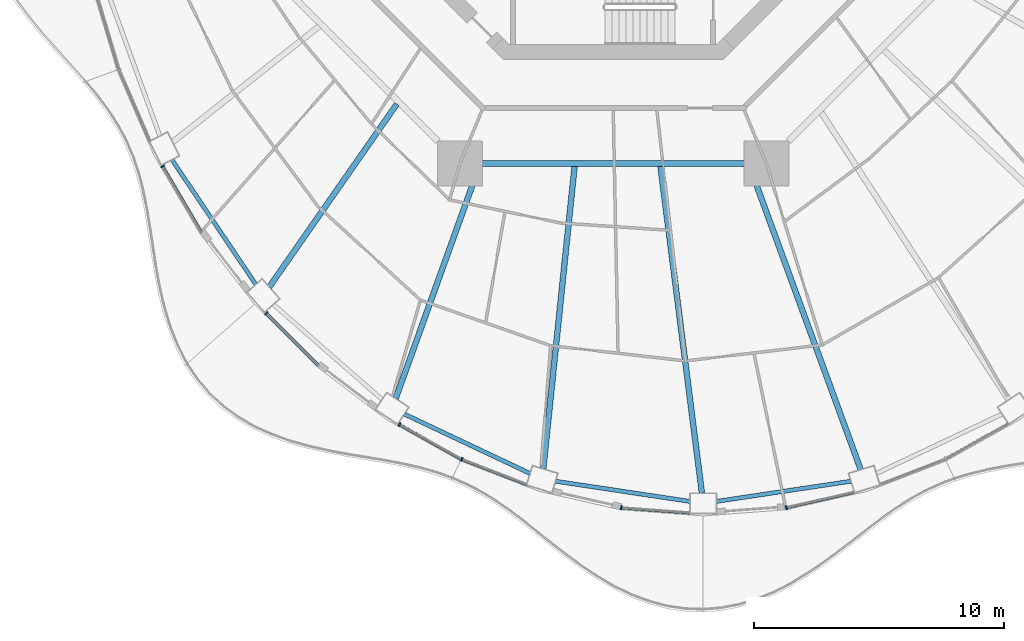
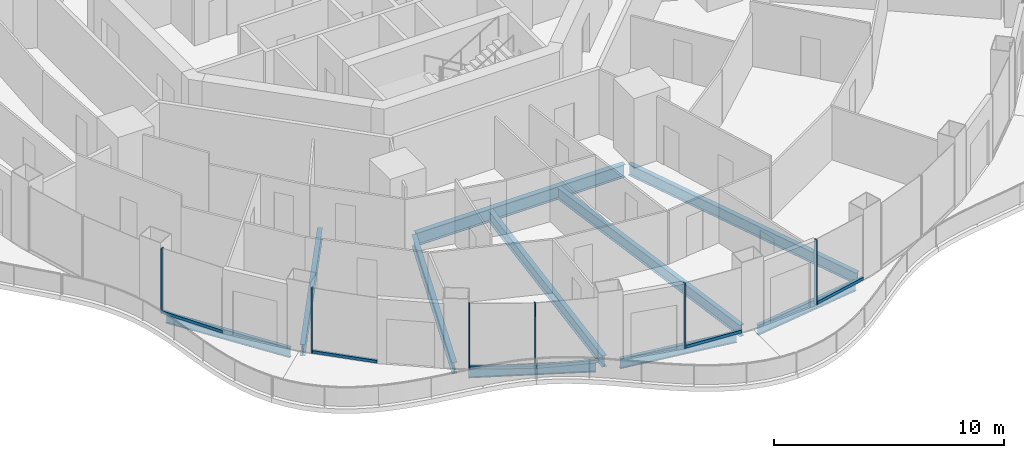
# One storey, part 2 of 19: 12 members, 10 beams, 6 elements without a shape of their own.
"""IFC4 building model written with IfcOpenShell, lengths in metres."""

from ifc_helpers import new_model, si_unit, direction, frame, origin, origin_2d, place, context, subcontext, project, spatial, rectangle, i_section, extrude, material, layer, layer_set, material_profile, profile_set, type_object, element, aggregate, save


model = new_model("IFC4")

# Units and contexts
model_context = context("Model", 3, precision=1e-05, world=origin(), true_north=direction((0.0, 1.0)))
body_context = subcontext(model_context, "Body", "Model", "MODEL_VIEW")
ifc_project = project(units=[si_unit("LENGTHUNIT", "METRE"), si_unit("AREAUNIT", "SQUARE_METRE"), si_unit("VOLUMEUNIT", "CUBIC_METRE"), si_unit("PLANEANGLEUNIT", "RADIAN"), si_unit("MASSUNIT", "GRAM", prefix="KILO")], contexts=[model_context])

# Site, building, storey
site_placement = place(None, origin())
site = spatial("IfcSite", under=ifc_project, at=site_placement, CompositionType="ELEMENT")
building_placement = place(site_placement, origin())
building = spatial("IfcBuilding", under=site, at=building_placement, Name="Nagisa Residences", CompositionType="ELEMENT")
storey_placement = place(building_placement, frame((0.0, 0.0, 177.0)))
storey = spatial("IfcBuildingStorey", under=building, at=storey_placement, Name="L44", CompositionType="ELEMENT", Elevation=177.0)

# Curtain wall, member
ifc_material_1 = material(Name="Concrete-coloured aluminium curtain wall system", Category="concrete")
ifc_layer = layer(ifc_material_1, 0.159912109375)
ifc_layer_set = layer_set([ifc_layer], Name="CW1 CURTAIN WALL")
curtain_wall_type = type_object("IfcCurtainWallType", Name="CW1 CURTAIN WALL", PredefinedType="NOTDEFINED", material=ifc_layer_set)
curtain_wall_1_placement = place(storey_placement, origin())
curtain_wall_1 = element("IfcCurtainWall", 1, at=curtain_wall_1_placement, inside=storey, type_object=curtain_wall_type, Name="cw:CW1:L44:28", PredefinedType="NOTDEFINED")
ifc_material_2 = material(Name="Concrete-coloured aluminium", Category="concrete")
ifc_material_profile_1 = material_profile(ifc_material_2, rectangle(XDim=0.159912109375, YDim=0.06005859375, at=origin_2d()), Name="CW1 MULLION 160x60")
ifc_profile_set_1 = profile_set([ifc_material_profile_1], Name="Concrete-coloured aluminium")
member_type_1 = type_object("IfcMemberType", Name="CW1 MULLION 160x60", PredefinedType="MULLION", material=ifc_profile_set_1)
member_1_placement = place(storey_placement, frame((-18.0126953125, -14.897216796875, 0.0), z_axis=(0.0, 0.0, 1.0), x_axis=(0.862328898214, 0.506348567002, 0.0)))
member_1 = element("IfcMember", 2, at=member_1_placement, type_object=member_type_1, Name="CW1 mullion", PredefinedType="MULLION", context=body_context, shape_type="SweptSolid", body=[
    extrude(rectangle(XDim=0.159912109375, YDim=0.06005859375, at=origin_2d()), origin(), (0.0, 0.0, 1.0), 3.43994140625),
])

curtain_wall_2_placement = place(storey_placement, origin())
curtain_wall_2 = element("IfcCurtainWall", 3, at=curtain_wall_2_placement, inside=storey, type_object=curtain_wall_type, Name="cw:CW1:L44:30", PredefinedType="NOTDEFINED")
member_2_placement = place(storey_placement, frame((-13.875732421875, -20.770751953125, 0.0), z_axis=(0.0, 0.0, 1.0), x_axis=(0.706376885714, 0.707835924016, 0.0)))
member_2 = element("IfcMember", 4, at=member_2_placement, type_object=member_type_1, Name="CW1 mullion", PredefinedType="MULLION", context=body_context, shape_type="SweptSolid", body=[
    extrude(rectangle(XDim=0.159912109375, YDim=0.06005859375, at=origin_2d()), origin(), (0.0, 0.0, 1.0), 3.43994140625),
])

curtain_wall_3_placement = place(storey_placement, origin())
curtain_wall_3 = element("IfcCurtainWall", 5, at=curtain_wall_3_placement, inside=storey, type_object=curtain_wall_type, Name="cw:CW1:L44:32", PredefinedType="NOTDEFINED")
member_3_placement = place(storey_placement, frame((-8.54248046875, -25.220458984375, 0.0), z_axis=(0.0, 0.0, 1.0), x_axis=(0.489376918501, 0.872072377523, 0.0)))
member_3 = element("IfcMember", 6, at=member_3_placement, type_object=member_type_1, Name="CW1 mullion", PredefinedType="MULLION", context=body_context, shape_type="SweptSolid", body=[
    extrude(rectangle(XDim=0.159912109375, YDim=0.06005859375, at=origin_2d()), origin(), (0.0, 0.0, 1.0), 3.43994140625),
])

curtain_wall_4_placement = place(storey_placement, origin())
curtain_wall_4 = element("IfcCurtainWall", 7, at=curtain_wall_4_placement, inside=storey, type_object=curtain_wall_type, Name="cw:CW1:L44:33", PredefinedType="NOTDEFINED")
member_4_placement = place(storey_placement, frame((-6.0537109375, -26.61328125, 0.0), z_axis=(0.0, 0.0, 1.0), x_axis=(0.360327770268, 0.932825759707, 0.0)))
member_4 = element("IfcMember", 8, at=member_4_placement, type_object=member_type_1, Name="CW1 mullion", PredefinedType="MULLION", context=body_context, shape_type="SweptSolid", body=[
    extrude(rectangle(XDim=0.159912109375, YDim=0.06005859375, at=origin_2d()), origin(), (0.0, 0.0, 1.0), 3.43994140625),
])

curtain_wall_5_placement = place(storey_placement, origin())
curtain_wall_5 = element("IfcCurtainWall", 9, at=curtain_wall_5_placement, inside=storey, type_object=curtain_wall_type, Name="cw:CW1:L44:35", PredefinedType="NOTDEFINED")
member_5_placement = place(storey_placement, frame((0.32373046875, -28.550537109375, 0.0), z_axis=(0.0, 0.0, 1.0), x_axis=(0.074377355493, 0.997230168512, 0.0)))
member_5 = element("IfcMember", 10, at=member_5_placement, type_object=member_type_1, Name="CW1 mullion", PredefinedType="MULLION", context=body_context, shape_type="SweptSolid", body=[
    extrude(rectangle(XDim=0.159912109375, YDim=0.06005859375, at=origin_2d()), origin(), (0.0, 0.0, 1.0), 3.43994140625),
])

curtain_wall_6_placement = place(storey_placement, origin())
curtain_wall_6 = element("IfcCurtainWall", 11, at=curtain_wall_6_placement, inside=storey, type_object=curtain_wall_type, Name="cw:CW1:L44:37", PredefinedType="NOTDEFINED")
member_6_placement = place(storey_placement, frame((6.923583984375, -28.543212890625, 0.0), z_axis=(0.0, 0.0, 1.0), x_axis=(-0.2207639201, 0.975327274089, 0.0)))
member_6 = element("IfcMember", 12, at=member_6_placement, type_object=member_type_1, Name="CW1 mullion", PredefinedType="MULLION", context=body_context, shape_type="SweptSolid", body=[
    extrude(rectangle(XDim=0.159912109375, YDim=0.06005859375, at=origin_2d()), origin(), (0.0, 0.0, 1.0), 3.43994140625),
])

# Member
ifc_material_3 = material(Name="Concrete-coloured aluminium", Category="concrete")
ifc_material_profile_2 = material_profile(ifc_material_3, rectangle(XDim=0.1201171875, YDim=0.14990234375, at=origin_2d()), Name="CW1 TRANSOM 120x150")
ifc_profile_set_2 = profile_set([ifc_material_profile_2], Name="Concrete-coloured aluminium")
member_type_2 = type_object("IfcMemberType", Name="CW1 TRANSOM 120x150", PredefinedType="USERDEFINED", material=ifc_profile_set_2)
member_7_placement = place(storey_placement, frame((-18.02783203125, -14.871337890625, 0.074951171875), z_axis=(0.506309086483, -0.862352079458, 0.0), x_axis=(0.862352079458, 0.506309086483, 0.0)))
member_7 = element("IfcMember", 13, at=member_7_placement, type_object=member_type_2, Name="CW1 transom", ObjectType="TRANSOM", PredefinedType="USERDEFINED", context=body_context, shape_type="SweptSolid", body=[
    extrude(rectangle(XDim=0.1201171875, YDim=0.14990234375, at=origin_2d()), origin(), (0.0, 0.0, 1.0), 3.091796875),
])

aggregate(curtain_wall_1, [member_1, member_7])

member_8_placement = place(storey_placement, frame((-13.89697265625, -20.74951171875, 0.074951171875), z_axis=(0.707803821372, -0.706409053206, 0.0), x_axis=(0.706409053206, 0.707803821372, 0.0)))
member_8 = element("IfcMember", 14, at=member_8_placement, type_object=member_type_2, Name="CW1 transom", ObjectType="TRANSOM", PredefinedType="USERDEFINED", context=body_context, shape_type="SweptSolid", body=[
    extrude(rectangle(XDim=0.1201171875, YDim=0.14990234375, at=origin_2d()), origin(), (0.0, 0.0, 1.0), 2.9755859375),
])

aggregate(curtain_wall_2, [member_2, member_8])

member_9_placement = place(storey_placement, frame((-8.568603515625, -25.205810546875, 0.074951171875), z_axis=(0.872057843239, -0.489402817774, 0.0), x_axis=(0.489402817774, 0.872057843239, 0.0)))
member_9 = element("IfcMember", 15, at=member_9_placement, type_object=member_type_2, Name="CW1 transom", ObjectType="TRANSOM", PredefinedType="USERDEFINED", context=body_context, shape_type="SweptSolid", body=[
    extrude(rectangle(XDim=0.1201171875, YDim=0.14990234375, at=origin_2d()), origin(), (0.0, 0.0, 1.0), 2.863525390625),
])

aggregate(curtain_wall_3, [member_3, member_9])

member_10_placement = place(storey_placement, frame((-6.081787109375, -26.602294921875, 0.074951171875), z_axis=(0.932806734513, -0.360377019311, 0.0), x_axis=(0.360377019311, 0.932806734513, 0.0)))
member_10 = element("IfcMember", 16, at=member_10_placement, type_object=member_type_2, Name="CW1 transom", ObjectType="TRANSOM", PredefinedType="USERDEFINED", context=body_context, shape_type="SweptSolid", body=[
    extrude(rectangle(XDim=0.1201171875, YDim=0.14990234375, at=origin_2d()), origin(), (0.0, 0.0, 1.0), 2.819580078125),
])

aggregate(curtain_wall_4, [member_4, member_10])

member_11_placement = place(storey_placement, frame((0.2939453125, -28.548095703125, 0.074951171875), z_axis=(0.99722504052, -0.074446078208, 0.0), x_axis=(0.074446078208, 0.99722504052, 0.0)))
member_11 = element("IfcMember", 17, at=member_11_placement, type_object=member_type_2, Name="CW1 transom", ObjectType="TRANSOM", PredefinedType="USERDEFINED", context=body_context, shape_type="SweptSolid", body=[
    extrude(rectangle(XDim=0.1201171875, YDim=0.14990234375, at=origin_2d()), origin(), (0.0, 0.0, 1.0), 2.77099609375),
])

aggregate(curtain_wall_5, [member_5, member_11])

member_12_placement = place(storey_placement, frame((6.89453125, -28.550048828125, 0.074951171875), z_axis=(0.975324329911, 0.220776926974, 0.0), x_axis=(-0.220776926974, 0.975324329911, 0.0)))
member_12 = element("IfcMember", 18, at=member_12_placement, type_object=member_type_2, Name="CW1 transom", ObjectType="TRANSOM", PredefinedType="USERDEFINED", context=body_context, shape_type="SweptSolid", body=[
    extrude(rectangle(XDim=0.1201171875, YDim=0.14990234375, at=origin_2d()), origin(), (0.0, 0.0, 1.0), 2.787841796875),
])

aggregate(curtain_wall_6, [member_6, member_12])

# Beams
ifc_material_4 = material(Name="Steel ASTM A572 Gr 50", Category="steel")
ifc_material_profile_3 = material_profile(ifc_material_4, i_section(OverallWidth=0.25390625, OverallDepth=0.68408203125, WebThickness=0.012451171875, FlangeThickness=0.018798828125, at=origin_2d()), Name="W690x140")
ifc_profile_set_3 = profile_set([ifc_material_profile_3], Name="Steel ASTM A572 Gr 50")
beam_type_1 = type_object("IfcBeamType", Name="Inner ring beam W690x140", PredefinedType="BEAM", material=ifc_profile_set_3)
beam_1_placement = place(storey_placement, frame((-5.242919921875, -14.781982421875, -0.60205078125), z_axis=(1.0, 0.0, 0.0), x_axis=(0.0, 1.0, 0.0)))
element("IfcBeam", 19, at=beam_1_placement, inside=storey, type_object=beam_type_1, Name="beam:L44:ib6", PredefinedType="BEAM", context=body_context, shape_type="SweptSolid", body=[
    extrude(i_section(OverallWidth=0.25390625, OverallDepth=0.68408203125, WebThickness=0.012451171875, FlangeThickness=0.018798828125, at=origin_2d()), origin(), (0.0, 0.0, 1.0), 10.48583984375),
])
ifc_material_5 = material(Name="Steel ASTM A572 Gr 50", Category="steel")
ifc_material_profile_4 = material_profile(ifc_material_5, i_section(OverallWidth=0.166015625, OverallDepth=0.534912109375, WebThickness=0.01025390625, FlangeThickness=0.0166015625, at=origin_2d()), Name="W530x85")
ifc_profile_set_4 = profile_set([ifc_material_profile_4], Name="Steel ASTM A572 Gr 50")
beam_type_2 = type_object("IfcBeamType", Name="Perimeter ring beam W530x85", PredefinedType="BEAM", material=ifc_profile_set_4)
beam_2_placement = place(storey_placement, frame((-17.644287109375, -14.630615234375, -0.527587890625), z_axis=(0.558152301307, -0.829738518177, 0.0), x_axis=(0.829738518177, 0.558152301307, 0.0)))
element("IfcBeam", 20, at=beam_2_placement, inside=storey, type_object=beam_type_2, Name="beam:L44:pb15", PredefinedType="BEAM", context=body_context, shape_type="SweptSolid", body=[
    extrude(i_section(OverallWidth=0.166015625, OverallDepth=0.534912109375, WebThickness=0.01025390625, FlangeThickness=0.0166015625, at=origin_2d()), origin(), (0.0, 0.0, 1.0), 6.013916015625),
])
beam_3_placement = place(storey_placement, frame((-8.353515625, -24.80224609375, -0.527587890625), z_axis=(0.904157325884, -0.427199637232, 0.0), x_axis=(0.427199637232, 0.904157325884, 0.0)))
element("IfcBeam", 21, at=beam_3_placement, inside=storey, type_object=beam_type_2, Name="beam:L44:pb17", PredefinedType="BEAM", context=body_context, shape_type="SweptSolid", body=[
    extrude(i_section(OverallWidth=0.166015625, OverallDepth=0.534912109375, WebThickness=0.01025390625, FlangeThickness=0.0166015625, at=origin_2d()), origin(), (0.0, 0.0, 1.0), 5.56396484375),
])
for number, where, z_axis, x_axis, name in (
    (22, (-2.30810546875, -27.48779296875, -0.527587890625), (0.988911312658, -0.148507291732, 0.0), (0.148507291732, 0.988911312658, 0.0), "beam:L44:pb18"),
    (23, (4.130126953125, -28.29541015625, -0.527587890625), (0.988911312658, 0.148507291732, 0.0), (-0.148507291732, 0.988911312658, 0.0), "beam:L44:pb19"),
):
    element("IfcBeam", number, at=place(storey_placement, frame(where, z_axis=z_axis, x_axis=x_axis)), inside=storey, type_object=beam_type_2, Name=name, PredefinedType="BEAM", context=body_context, shape_type="SweptSolid", body=[
        extrude(i_section(OverallWidth=0.166015625, OverallDepth=0.534912109375, WebThickness=0.01025390625, FlangeThickness=0.0166015625, at=origin_2d()), origin(), (0.0, 0.0, 1.0), 5.438232421875),
    ])
ifc_material_6 = material(Name="Steel ASTM A572 Gr 50", Category="steel")
ifc_material_profile_5 = material_profile(ifc_material_6, i_section(OverallWidth=0.22802734375, OverallDepth=0.60302734375, WebThickness=0.010498046875, FlangeThickness=0.014892578125, at=origin_2d()), Name="W610x101")
ifc_profile_set_5 = profile_set([ifc_material_profile_5], Name="Steel ASTM A572 Gr 50")
beam_type_3 = type_object("IfcBeamType", Name="Radial beam W610x101", PredefinedType="BEAM", material=ifc_profile_set_5)
beam_4_placement = place(storey_placement, frame((-13.75048828125, -19.7216796875, -0.5615234375), z_axis=(0.571934479253, 0.82029930601, 0.0), x_axis=(-0.82029930601, 0.571934479253, 0.0)))
element("IfcBeam", 24, at=beam_4_placement, inside=storey, type_object=beam_type_3, Name="beam:L44:rb16", PredefinedType="BEAM", context=body_context, shape_type="SweptSolid", body=[
    extrude(i_section(OverallWidth=0.22802734375, OverallDepth=0.60302734375, WebThickness=0.010498046875, FlangeThickness=0.014892578125, at=origin_2d()), origin(), (0.0, 0.0, 1.0), 8.917724609375),
])
beam_5_placement = place(storey_placement, frame((-8.6962890625, -24.180908203125, -0.5615234375), z_axis=(0.338417364879, 0.940996114311, 0.0), x_axis=(-0.940996114311, 0.338417364879, 0.0)))
element("IfcBeam", 25, at=beam_5_placement, inside=storey, type_object=beam_type_3, Name="beam:L44:rb17", PredefinedType="BEAM", context=body_context, shape_type="SweptSolid", body=[
    extrude(i_section(OverallWidth=0.22802734375, OverallDepth=0.60302734375, WebThickness=0.010498046875, FlangeThickness=0.014892578125, at=origin_2d()), origin(), (0.0, 0.0, 1.0), 9.873291015625),
])
beam_6_placement = place(storey_placement, frame((-2.795654296875, -26.997314453125, -0.5615234375), z_axis=(0.103007948723, 0.994680532885, 0.0), x_axis=(-0.994680532885, 0.103007948723, 0.0)))
element("IfcBeam", 26, at=beam_6_placement, inside=storey, type_object=beam_type_3, Name="beam:L44:rb18", PredefinedType="BEAM", context=body_context, shape_type="SweptSolid", body=[
    extrude(i_section(OverallWidth=0.22802734375, OverallDepth=0.60302734375, WebThickness=0.010498046875, FlangeThickness=0.014892578125, at=origin_2d()), origin(), (0.0, 0.0, 1.0), 12.1728515625),
])
beam_7_placement = place(storey_placement, frame((3.548583984375, -27.9697265625, -0.5615234375), z_axis=(-0.125871302495, 0.992046579153, 0.0), x_axis=(-0.992046579153, -0.125871302495, 0.0)))
element("IfcBeam", 27, at=beam_7_placement, inside=storey, type_object=beam_type_3, Name="beam:L44:rb19", PredefinedType="BEAM", context=body_context, shape_type="SweptSolid", body=[
    extrude(i_section(OverallWidth=0.22802734375, OverallDepth=0.60302734375, WebThickness=0.010498046875, FlangeThickness=0.014892578125, at=origin_2d()), origin(), (0.0, 0.0, 1.0), 13.185546875),
])
beam_8_placement = place(storey_placement, frame((9.898681640625, -27.02734375, -0.5615234375), z_axis=(-0.343903309659, 0.939005065804, 0.0), x_axis=(-0.939005065804, -0.343903309659, 0.0)))
element("IfcBeam", 28, at=beam_8_placement, inside=storey, type_object=beam_type_3, Name="beam:L44:rb20", PredefinedType="BEAM", context=body_context, shape_type="SweptSolid", body=[
    extrude(i_section(OverallWidth=0.22802734375, OverallDepth=0.60302734375, WebThickness=0.010498046875, FlangeThickness=0.014892578125, at=origin_2d()), origin(), (0.0, 0.0, 1.0), 12.92529296875),
])

save(model, "model.ifc")
